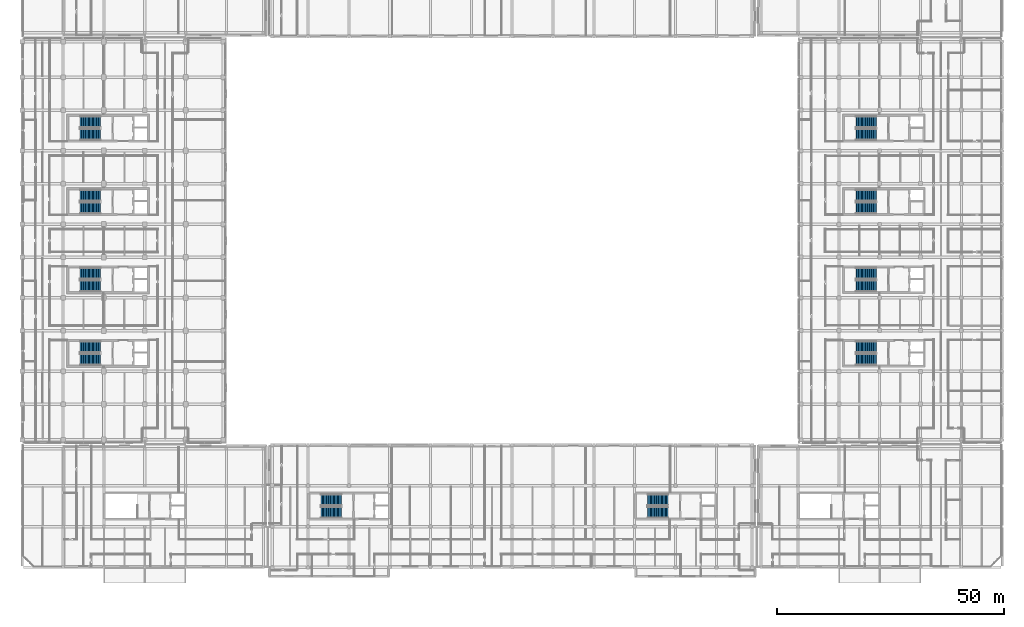
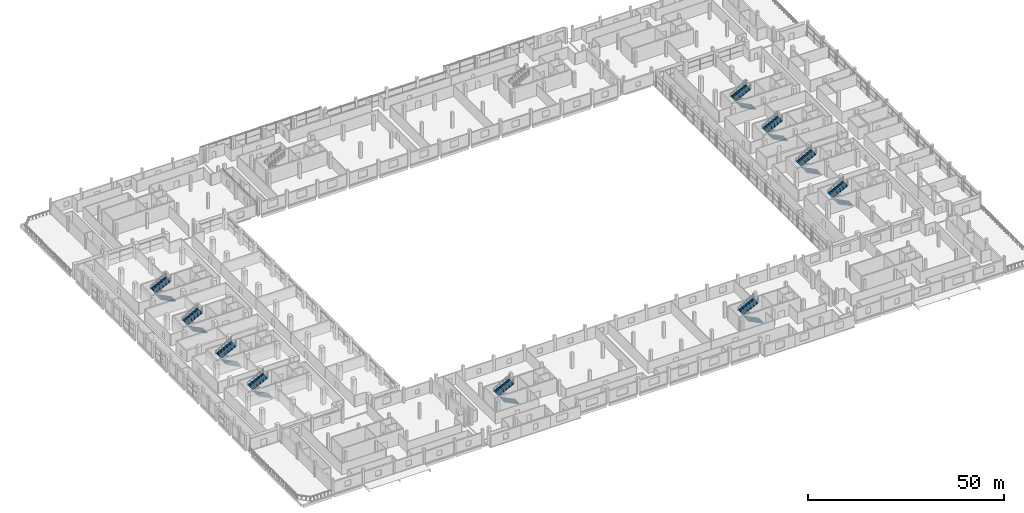
# One storey, part 87 of 111: 20 stair flights, 10 elements without a shape of their own.
"""IFC4 building model written with IfcOpenShell, lengths in metres."""

from ifc_helpers import new_model, si_unit, direction, frame, origin, place, context, subcontext, project, spatial, polyline, outline, extrude, material, type_object, element, aggregate, save


model = new_model("IFC4")

# Units and contexts
model_context = context("Model", 3, precision=1e-05, world=origin(), true_north=direction((0.0, 1.0)))
body_context = subcontext(model_context, "Body", "Model", "MODEL_VIEW")
ifc_project = project(units=[si_unit("LENGTHUNIT", "METRE"), si_unit("AREAUNIT", "SQUARE_METRE"), si_unit("VOLUMEUNIT", "CUBIC_METRE"), si_unit("PLANEANGLEUNIT", "RADIAN"), si_unit("MASSUNIT", "GRAM", prefix="KILO"), si_unit("THERMODYNAMICTEMPERATUREUNIT", "KELVIN"), si_unit("POWERUNIT", "WATT")], contexts=[model_context])

# Site, building, storey
site_placement = place(None, origin())
site = spatial("IfcSite", under=ifc_project, at=site_placement, CompositionType="ELEMENT")
building_placement = place(site_placement, origin())
building = spatial("IfcBuilding", under=site, at=building_placement, Name="Sindhuravela Promenade Stadium", CompositionType="ELEMENT")
storey_placement = place(building_placement, frame((0.0, 0.0, 9.60009765625)))
storey = spatial("IfcBuildingStorey", under=building, at=storey_placement, Name="L02", CompositionType="ELEMENT", Elevation=9.60009765625)

# Stair, stair flights
ifc_material = material(Name="Concrete M40", Category="concrete")
stair_type = type_object("IfcStairType", Name="ST-CORE-DOGLEG", PredefinedType="HALF_TURN_STAIR", material=ifc_material)
stair_1_placement = place(storey_placement, origin())
stair_1 = element("IfcStair", 1, at=stair_1_placement, inside=storey, type_object=stair_type, Name="Protected escape stair ST01 (L02)", PredefinedType="HALF_TURN_STAIR")
stair_flight_type = type_object("IfcStairFlightType", Name="SF-CORE-2400", PredefinedType="STRAIGHT", material=ifc_material)
stair_flight_1_placement = place(storey_placement, frame((17.25, 54.7900390625, 0.0), z_axis=(0.0, 0.0, 1.0), x_axis=(-1.0, 0.0, 0.0)))
stair_flight_1 = element("IfcStairFlight", 2, at=stair_flight_1_placement, type_object=stair_flight_type, Name="Stair ST01 lower flight (L02)", NumberOfRisers=16, NumberOfTreads=15, PredefinedType="STRAIGHT", RiserHeight=0.15, TreadLength=0.3, context=body_context, shape_type="SweptSolid", body=[
    extrude(outline(polyline([(0.0, 0.0), (0.0, 0.14990234375), (0.300048828125, 0.14990234375), (0.300048828125, 0.300048828125), (0.60009765625, 0.300048828125), (0.60009765625, 0.449951171875), (0.89990234375, 0.449951171875), (0.89990234375, 0.60009765625), (1.199951171875, 0.60009765625), (1.199951171875, 0.75), (1.5, 0.75), (1.5, 0.89990234375), (1.800048828125, 0.89990234375), (1.800048828125, 1.050048828125), (2.10009765625, 1.050048828125), (2.10009765625, 1.199951171875), (2.39990234375, 1.199951171875), (2.39990234375, 1.35009765625), (2.699951171875, 1.35009765625), (2.699951171875, 1.5), (3.0, 1.5), (3.0, 1.64990234375), (3.300048828125, 1.64990234375), (3.300048828125, 1.800048828125), (3.60009765625, 1.800048828125), (3.60009765625, 1.949951171875), (3.89990234375, 1.949951171875), (3.89990234375, 2.10009765625), (4.199951171875, 2.10009765625), (4.199951171875, 2.25), (4.5, 2.25), (4.5, 2.39990234375), (4.5, 2.0263671875), (0.447021484375, 0.0), (0.0, 0.0)])), frame((0.0, 1.25, 0.0), z_axis=(0.0, -1.0, 0.0), x_axis=(1.0, 0.0, 0.0)), (0.0, 0.0, 1.0), 2.5),
])
stair_flight_2_placement = place(storey_placement, frame((12.75, 57.610107421875, 2.39990234375), z_axis=(0.0, 0.0, 1.0), x_axis=(1.0, 0.0, 0.0)))
stair_flight_2 = element("IfcStairFlight", 3, at=stair_flight_2_placement, type_object=stair_flight_type, Name="Stair ST01 upper flight (L02)", NumberOfRisers=16, NumberOfTreads=15, PredefinedType="STRAIGHT", RiserHeight=0.15, TreadLength=0.3, context=body_context, shape_type="SweptSolid", body=[
    extrude(outline(polyline([(0.0, 0.0), (0.0, 0.14990234375), (0.300048828125, 0.14990234375), (0.300048828125, 0.300048828125), (0.60009765625, 0.300048828125), (0.60009765625, 0.449951171875), (0.89990234375, 0.449951171875), (0.89990234375, 0.60009765625), (1.199951171875, 0.60009765625), (1.199951171875, 0.75), (1.5, 0.75), (1.5, 0.89990234375), (1.800048828125, 0.89990234375), (1.800048828125, 1.050048828125), (2.10009765625, 1.050048828125), (2.10009765625, 1.199951171875), (2.39990234375, 1.199951171875), (2.39990234375, 1.35009765625), (2.699951171875, 1.35009765625), (2.699951171875, 1.5), (3.0, 1.5), (3.0, 1.64990234375), (3.300048828125, 1.64990234375), (3.300048828125, 1.800048828125), (3.60009765625, 1.800048828125), (3.60009765625, 1.949951171875), (3.89990234375, 1.949951171875), (3.89990234375, 2.10009765625), (4.199951171875, 2.10009765625), (4.199951171875, 2.25), (4.5, 2.25), (4.5, 2.39990234375), (4.5, 2.0263671875), (0.447021484375, 0.0), (0.0, 0.0)])), frame((0.0, 1.25, 0.0), z_axis=(0.0, -1.0, 0.0), x_axis=(1.0, 0.0, 0.0)), (0.0, 0.0, 1.0), 2.5),
])
aggregate(stair_1, [stair_flight_1, stair_flight_2])

stair_2_placement = place(storey_placement, origin())
stair_2 = element("IfcStair", 4, at=stair_2_placement, inside=storey, type_object=stair_type, Name="Protected escape stair ST02 (L02)", PredefinedType="HALF_TURN_STAIR")
stair_flight_3_placement = place(storey_placement, frame((17.25, 70.989990234375, 0.0), z_axis=(0.0, 0.0, 1.0), x_axis=(-1.0, 0.0, 0.0)))
stair_flight_3 = element("IfcStairFlight", 5, at=stair_flight_3_placement, type_object=stair_flight_type, Name="Stair ST02 lower flight (L02)", NumberOfRisers=16, NumberOfTreads=15, PredefinedType="STRAIGHT", RiserHeight=0.15, TreadLength=0.3, context=body_context, shape_type="SweptSolid", body=[
    extrude(outline(polyline([(0.0, 0.0), (0.0, 0.14990234375), (0.300048828125, 0.14990234375), (0.300048828125, 0.300048828125), (0.60009765625, 0.300048828125), (0.60009765625, 0.449951171875), (0.89990234375, 0.449951171875), (0.89990234375, 0.60009765625), (1.199951171875, 0.60009765625), (1.199951171875, 0.75), (1.5, 0.75), (1.5, 0.89990234375), (1.800048828125, 0.89990234375), (1.800048828125, 1.050048828125), (2.10009765625, 1.050048828125), (2.10009765625, 1.199951171875), (2.39990234375, 1.199951171875), (2.39990234375, 1.35009765625), (2.699951171875, 1.35009765625), (2.699951171875, 1.5), (3.0, 1.5), (3.0, 1.64990234375), (3.300048828125, 1.64990234375), (3.300048828125, 1.800048828125), (3.60009765625, 1.800048828125), (3.60009765625, 1.949951171875), (3.89990234375, 1.949951171875), (3.89990234375, 2.10009765625), (4.199951171875, 2.10009765625), (4.199951171875, 2.25), (4.5, 2.25), (4.5, 2.39990234375), (4.5, 2.0263671875), (0.447021484375, 0.0), (0.0, 0.0)])), frame((0.0, 1.25, 0.0), z_axis=(0.0, -1.0, 0.0), x_axis=(1.0, 0.0, 0.0)), (0.0, 0.0, 1.0), 2.5),
])
stair_flight_4_placement = place(storey_placement, frame((12.75, 73.81005859375, 2.39990234375), z_axis=(0.0, 0.0, 1.0), x_axis=(1.0, 0.0, 0.0)))
stair_flight_4 = element("IfcStairFlight", 6, at=stair_flight_4_placement, type_object=stair_flight_type, Name="Stair ST02 upper flight (L02)", NumberOfRisers=16, NumberOfTreads=15, PredefinedType="STRAIGHT", RiserHeight=0.15, TreadLength=0.3, context=body_context, shape_type="SweptSolid", body=[
    extrude(outline(polyline([(0.0, 0.0), (0.0, 0.14990234375), (0.300048828125, 0.14990234375), (0.300048828125, 0.300048828125), (0.60009765625, 0.300048828125), (0.60009765625, 0.449951171875), (0.89990234375, 0.449951171875), (0.89990234375, 0.60009765625), (1.199951171875, 0.60009765625), (1.199951171875, 0.75), (1.5, 0.75), (1.5, 0.89990234375), (1.800048828125, 0.89990234375), (1.800048828125, 1.050048828125), (2.10009765625, 1.050048828125), (2.10009765625, 1.199951171875), (2.39990234375, 1.199951171875), (2.39990234375, 1.35009765625), (2.699951171875, 1.35009765625), (2.699951171875, 1.5), (3.0, 1.5), (3.0, 1.64990234375), (3.300048828125, 1.64990234375), (3.300048828125, 1.800048828125), (3.60009765625, 1.800048828125), (3.60009765625, 1.949951171875), (3.89990234375, 1.949951171875), (3.89990234375, 2.10009765625), (4.199951171875, 2.10009765625), (4.199951171875, 2.25), (4.5, 2.25), (4.5, 2.39990234375), (4.5, 2.0263671875), (0.447021484375, 0.0), (0.0, 0.0)])), frame((0.0, 1.25, 0.0), z_axis=(0.0, -1.0, 0.0), x_axis=(1.0, 0.0, 0.0)), (0.0, 0.0, 1.0), 2.5),
])
aggregate(stair_2, [stair_flight_3, stair_flight_4])

stair_3_placement = place(storey_placement, origin())
stair_3 = element("IfcStair", 7, at=stair_3_placement, inside=storey, type_object=stair_type, Name="Protected escape stair ST03 (L02)", PredefinedType="HALF_TURN_STAIR")
stair_flight_5_placement = place(storey_placement, frame((17.25, 88.18994140625, 0.0), z_axis=(0.0, 0.0, 1.0), x_axis=(-1.0, 0.0, 0.0)))
stair_flight_5 = element("IfcStairFlight", 8, at=stair_flight_5_placement, type_object=stair_flight_type, Name="Stair ST03 lower flight (L02)", NumberOfRisers=16, NumberOfTreads=15, PredefinedType="STRAIGHT", RiserHeight=0.15, TreadLength=0.3, context=body_context, shape_type="SweptSolid", body=[
    extrude(outline(polyline([(0.0, 0.0), (0.0, 0.14990234375), (0.300048828125, 0.14990234375), (0.300048828125, 0.300048828125), (0.60009765625, 0.300048828125), (0.60009765625, 0.449951171875), (0.89990234375, 0.449951171875), (0.89990234375, 0.60009765625), (1.199951171875, 0.60009765625), (1.199951171875, 0.75), (1.5, 0.75), (1.5, 0.89990234375), (1.800048828125, 0.89990234375), (1.800048828125, 1.050048828125), (2.10009765625, 1.050048828125), (2.10009765625, 1.199951171875), (2.39990234375, 1.199951171875), (2.39990234375, 1.35009765625), (2.699951171875, 1.35009765625), (2.699951171875, 1.5), (3.0, 1.5), (3.0, 1.64990234375), (3.300048828125, 1.64990234375), (3.300048828125, 1.800048828125), (3.60009765625, 1.800048828125), (3.60009765625, 1.949951171875), (3.89990234375, 1.949951171875), (3.89990234375, 2.10009765625), (4.199951171875, 2.10009765625), (4.199951171875, 2.25), (4.5, 2.25), (4.5, 2.39990234375), (4.5, 2.0263671875), (0.447021484375, 0.0), (0.0, 0.0)])), frame((0.0, 1.25, 0.0), z_axis=(0.0, -1.0, 0.0), x_axis=(1.0, 0.0, 0.0)), (0.0, 0.0, 1.0), 2.5),
])
stair_flight_6_placement = place(storey_placement, frame((12.75, 91.010009765625, 2.39990234375), z_axis=(0.0, 0.0, 1.0), x_axis=(1.0, 0.0, 0.0)))
stair_flight_6 = element("IfcStairFlight", 9, at=stair_flight_6_placement, type_object=stair_flight_type, Name="Stair ST03 upper flight (L02)", NumberOfRisers=16, NumberOfTreads=15, PredefinedType="STRAIGHT", RiserHeight=0.15, TreadLength=0.3, context=body_context, shape_type="SweptSolid", body=[
    extrude(outline(polyline([(0.0, 0.0), (0.0, 0.14990234375), (0.300048828125, 0.14990234375), (0.300048828125, 0.300048828125), (0.60009765625, 0.300048828125), (0.60009765625, 0.449951171875), (0.89990234375, 0.449951171875), (0.89990234375, 0.60009765625), (1.199951171875, 0.60009765625), (1.199951171875, 0.75), (1.5, 0.75), (1.5, 0.89990234375), (1.800048828125, 0.89990234375), (1.800048828125, 1.050048828125), (2.10009765625, 1.050048828125), (2.10009765625, 1.199951171875), (2.39990234375, 1.199951171875), (2.39990234375, 1.35009765625), (2.699951171875, 1.35009765625), (2.699951171875, 1.5), (3.0, 1.5), (3.0, 1.64990234375), (3.300048828125, 1.64990234375), (3.300048828125, 1.800048828125), (3.60009765625, 1.800048828125), (3.60009765625, 1.949951171875), (3.89990234375, 1.949951171875), (3.89990234375, 2.10009765625), (4.199951171875, 2.10009765625), (4.199951171875, 2.25), (4.5, 2.25), (4.5, 2.39990234375), (4.5, 2.0263671875), (0.447021484375, 0.0), (0.0, 0.0)])), frame((0.0, 1.25, 0.0), z_axis=(0.0, -1.0, 0.0), x_axis=(1.0, 0.0, 0.0)), (0.0, 0.0, 1.0), 2.5),
])
aggregate(stair_3, [stair_flight_5, stair_flight_6])

stair_4_placement = place(storey_placement, origin())
stair_4 = element("IfcStair", 10, at=stair_4_placement, inside=storey, type_object=stair_type, Name="Protected escape stair ST04 (L02)", PredefinedType="HALF_TURN_STAIR")
stair_flight_7_placement = place(storey_placement, frame((17.25, 104.389892578125, 0.0), z_axis=(0.0, 0.0, 1.0), x_axis=(-1.0, 0.0, 0.0)))
stair_flight_7 = element("IfcStairFlight", 11, at=stair_flight_7_placement, type_object=stair_flight_type, Name="Stair ST04 lower flight (L02)", NumberOfRisers=16, NumberOfTreads=15, PredefinedType="STRAIGHT", RiserHeight=0.15, TreadLength=0.3, context=body_context, shape_type="SweptSolid", body=[
    extrude(outline(polyline([(0.0, 0.0), (0.0, 0.14990234375), (0.300048828125, 0.14990234375), (0.300048828125, 0.300048828125), (0.60009765625, 0.300048828125), (0.60009765625, 0.449951171875), (0.89990234375, 0.449951171875), (0.89990234375, 0.60009765625), (1.199951171875, 0.60009765625), (1.199951171875, 0.75), (1.5, 0.75), (1.5, 0.89990234375), (1.800048828125, 0.89990234375), (1.800048828125, 1.050048828125), (2.10009765625, 1.050048828125), (2.10009765625, 1.199951171875), (2.39990234375, 1.199951171875), (2.39990234375, 1.35009765625), (2.699951171875, 1.35009765625), (2.699951171875, 1.5), (3.0, 1.5), (3.0, 1.64990234375), (3.300048828125, 1.64990234375), (3.300048828125, 1.800048828125), (3.60009765625, 1.800048828125), (3.60009765625, 1.949951171875), (3.89990234375, 1.949951171875), (3.89990234375, 2.10009765625), (4.199951171875, 2.10009765625), (4.199951171875, 2.25), (4.5, 2.25), (4.5, 2.39990234375), (4.5, 2.0263671875), (0.447021484375, 0.0), (0.0, 0.0)])), frame((0.0, 1.25, 0.0), z_axis=(0.0, -1.0, 0.0), x_axis=(1.0, 0.0, 0.0)), (0.0, 0.0, 1.0), 2.5),
])
stair_flight_8_placement = place(storey_placement, frame((12.75, 107.2099609375, 2.39990234375), z_axis=(0.0, 0.0, 1.0), x_axis=(1.0, 0.0, 0.0)))
stair_flight_8 = element("IfcStairFlight", 12, at=stair_flight_8_placement, type_object=stair_flight_type, Name="Stair ST04 upper flight (L02)", NumberOfRisers=16, NumberOfTreads=15, PredefinedType="STRAIGHT", RiserHeight=0.15, TreadLength=0.3, context=body_context, shape_type="SweptSolid", body=[
    extrude(outline(polyline([(0.0, 0.0), (0.0, 0.14990234375), (0.300048828125, 0.14990234375), (0.300048828125, 0.300048828125), (0.60009765625, 0.300048828125), (0.60009765625, 0.449951171875), (0.89990234375, 0.449951171875), (0.89990234375, 0.60009765625), (1.199951171875, 0.60009765625), (1.199951171875, 0.75), (1.5, 0.75), (1.5, 0.89990234375), (1.800048828125, 0.89990234375), (1.800048828125, 1.050048828125), (2.10009765625, 1.050048828125), (2.10009765625, 1.199951171875), (2.39990234375, 1.199951171875), (2.39990234375, 1.35009765625), (2.699951171875, 1.35009765625), (2.699951171875, 1.5), (3.0, 1.5), (3.0, 1.64990234375), (3.300048828125, 1.64990234375), (3.300048828125, 1.800048828125), (3.60009765625, 1.800048828125), (3.60009765625, 1.949951171875), (3.89990234375, 1.949951171875), (3.89990234375, 2.10009765625), (4.199951171875, 2.10009765625), (4.199951171875, 2.25), (4.5, 2.25), (4.5, 2.39990234375), (4.5, 2.0263671875), (0.447021484375, 0.0), (0.0, 0.0)])), frame((0.0, 1.25, 0.0), z_axis=(0.0, -1.0, 0.0), x_axis=(1.0, 0.0, 0.0)), (0.0, 0.0, 1.0), 2.5),
])
aggregate(stair_4, [stair_flight_7, stair_flight_8])

stair_5_placement = place(storey_placement, origin())
stair_5 = element("IfcStair", 13, at=stair_5_placement, inside=storey, type_object=stair_type, Name="Protected escape stair ST05 (L02)", PredefinedType="HALF_TURN_STAIR")
stair_flight_9_placement = place(storey_placement, frame((188.25, 54.7900390625, 0.0), z_axis=(0.0, 0.0, 1.0), x_axis=(-1.0, 0.0, 0.0)))
stair_flight_9 = element("IfcStairFlight", 14, at=stair_flight_9_placement, type_object=stair_flight_type, Name="Stair ST05 lower flight (L02)", NumberOfRisers=16, NumberOfTreads=15, PredefinedType="STRAIGHT", RiserHeight=0.15, TreadLength=0.3, context=body_context, shape_type="SweptSolid", body=[
    extrude(outline(polyline([(0.0, 0.0), (0.0, 0.14990234375), (0.300048828125, 0.14990234375), (0.300048828125, 0.300048828125), (0.60009765625, 0.300048828125), (0.60009765625, 0.449951171875), (0.89990234375, 0.449951171875), (0.89990234375, 0.60009765625), (1.199951171875, 0.60009765625), (1.199951171875, 0.75), (1.5, 0.75), (1.5, 0.89990234375), (1.800048828125, 0.89990234375), (1.800048828125, 1.050048828125), (2.10009765625, 1.050048828125), (2.10009765625, 1.199951171875), (2.39990234375, 1.199951171875), (2.39990234375, 1.35009765625), (2.699951171875, 1.35009765625), (2.699951171875, 1.5), (3.0, 1.5), (3.0, 1.64990234375), (3.300048828125, 1.64990234375), (3.300048828125, 1.800048828125), (3.60009765625, 1.800048828125), (3.60009765625, 1.949951171875), (3.89990234375, 1.949951171875), (3.89990234375, 2.10009765625), (4.199951171875, 2.10009765625), (4.199951171875, 2.25), (4.5, 2.25), (4.5, 2.39990234375), (4.5, 2.0263671875), (0.447021484375, 0.0), (0.0, 0.0)])), frame((0.0, 1.25, 0.0), z_axis=(0.0, -1.0, 0.0), x_axis=(1.0, 0.0, 0.0)), (0.0, 0.0, 1.0), 2.5),
])
stair_flight_10_placement = place(storey_placement, frame((183.75, 57.610107421875, 2.39990234375), z_axis=(0.0, 0.0, 1.0), x_axis=(1.0, 0.0, 0.0)))
stair_flight_10 = element("IfcStairFlight", 15, at=stair_flight_10_placement, type_object=stair_flight_type, Name="Stair ST05 upper flight (L02)", NumberOfRisers=16, NumberOfTreads=15, PredefinedType="STRAIGHT", RiserHeight=0.15, TreadLength=0.3, context=body_context, shape_type="SweptSolid", body=[
    extrude(outline(polyline([(0.0, 0.0), (0.0, 0.14990234375), (0.300048828125, 0.14990234375), (0.300048828125, 0.300048828125), (0.60009765625, 0.300048828125), (0.60009765625, 0.449951171875), (0.89990234375, 0.449951171875), (0.89990234375, 0.60009765625), (1.199951171875, 0.60009765625), (1.199951171875, 0.75), (1.5, 0.75), (1.5, 0.89990234375), (1.800048828125, 0.89990234375), (1.800048828125, 1.050048828125), (2.10009765625, 1.050048828125), (2.10009765625, 1.199951171875), (2.39990234375, 1.199951171875), (2.39990234375, 1.35009765625), (2.699951171875, 1.35009765625), (2.699951171875, 1.5), (3.0, 1.5), (3.0, 1.64990234375), (3.300048828125, 1.64990234375), (3.300048828125, 1.800048828125), (3.60009765625, 1.800048828125), (3.60009765625, 1.949951171875), (3.89990234375, 1.949951171875), (3.89990234375, 2.10009765625), (4.199951171875, 2.10009765625), (4.199951171875, 2.25), (4.5, 2.25), (4.5, 2.39990234375), (4.5, 2.0263671875), (0.447021484375, 0.0), (0.0, 0.0)])), frame((0.0, 1.25, 0.0), z_axis=(0.0, -1.0, 0.0), x_axis=(1.0, 0.0, 0.0)), (0.0, 0.0, 1.0), 2.5),
])
aggregate(stair_5, [stair_flight_9, stair_flight_10])

stair_6_placement = place(storey_placement, origin())
stair_6 = element("IfcStair", 16, at=stair_6_placement, inside=storey, type_object=stair_type, Name="Protected escape stair ST06 (L02)", PredefinedType="HALF_TURN_STAIR")
stair_flight_11_placement = place(storey_placement, frame((188.25, 70.989990234375, 0.0), z_axis=(0.0, 0.0, 1.0), x_axis=(-1.0, 0.0, 0.0)))
stair_flight_11 = element("IfcStairFlight", 17, at=stair_flight_11_placement, type_object=stair_flight_type, Name="Stair ST06 lower flight (L02)", NumberOfRisers=16, NumberOfTreads=15, PredefinedType="STRAIGHT", RiserHeight=0.15, TreadLength=0.3, context=body_context, shape_type="SweptSolid", body=[
    extrude(outline(polyline([(0.0, 0.0), (0.0, 0.14990234375), (0.300048828125, 0.14990234375), (0.300048828125, 0.300048828125), (0.60009765625, 0.300048828125), (0.60009765625, 0.449951171875), (0.89990234375, 0.449951171875), (0.89990234375, 0.60009765625), (1.199951171875, 0.60009765625), (1.199951171875, 0.75), (1.5, 0.75), (1.5, 0.89990234375), (1.800048828125, 0.89990234375), (1.800048828125, 1.050048828125), (2.10009765625, 1.050048828125), (2.10009765625, 1.199951171875), (2.39990234375, 1.199951171875), (2.39990234375, 1.35009765625), (2.699951171875, 1.35009765625), (2.699951171875, 1.5), (3.0, 1.5), (3.0, 1.64990234375), (3.300048828125, 1.64990234375), (3.300048828125, 1.800048828125), (3.60009765625, 1.800048828125), (3.60009765625, 1.949951171875), (3.89990234375, 1.949951171875), (3.89990234375, 2.10009765625), (4.199951171875, 2.10009765625), (4.199951171875, 2.25), (4.5, 2.25), (4.5, 2.39990234375), (4.5, 2.0263671875), (0.447021484375, 0.0), (0.0, 0.0)])), frame((0.0, 1.25, 0.0), z_axis=(0.0, -1.0, 0.0), x_axis=(1.0, 0.0, 0.0)), (0.0, 0.0, 1.0), 2.5),
])
stair_flight_12_placement = place(storey_placement, frame((183.75, 73.81005859375, 2.39990234375), z_axis=(0.0, 0.0, 1.0), x_axis=(1.0, 0.0, 0.0)))
stair_flight_12 = element("IfcStairFlight", 18, at=stair_flight_12_placement, type_object=stair_flight_type, Name="Stair ST06 upper flight (L02)", NumberOfRisers=16, NumberOfTreads=15, PredefinedType="STRAIGHT", RiserHeight=0.15, TreadLength=0.3, context=body_context, shape_type="SweptSolid", body=[
    extrude(outline(polyline([(0.0, 0.0), (0.0, 0.14990234375), (0.300048828125, 0.14990234375), (0.300048828125, 0.300048828125), (0.60009765625, 0.300048828125), (0.60009765625, 0.449951171875), (0.89990234375, 0.449951171875), (0.89990234375, 0.60009765625), (1.199951171875, 0.60009765625), (1.199951171875, 0.75), (1.5, 0.75), (1.5, 0.89990234375), (1.800048828125, 0.89990234375), (1.800048828125, 1.050048828125), (2.10009765625, 1.050048828125), (2.10009765625, 1.199951171875), (2.39990234375, 1.199951171875), (2.39990234375, 1.35009765625), (2.699951171875, 1.35009765625), (2.699951171875, 1.5), (3.0, 1.5), (3.0, 1.64990234375), (3.300048828125, 1.64990234375), (3.300048828125, 1.800048828125), (3.60009765625, 1.800048828125), (3.60009765625, 1.949951171875), (3.89990234375, 1.949951171875), (3.89990234375, 2.10009765625), (4.199951171875, 2.10009765625), (4.199951171875, 2.25), (4.5, 2.25), (4.5, 2.39990234375), (4.5, 2.0263671875), (0.447021484375, 0.0), (0.0, 0.0)])), frame((0.0, 1.25, 0.0), z_axis=(0.0, -1.0, 0.0), x_axis=(1.0, 0.0, 0.0)), (0.0, 0.0, 1.0), 2.5),
])
aggregate(stair_6, [stair_flight_11, stair_flight_12])

stair_7_placement = place(storey_placement, origin())
stair_7 = element("IfcStair", 19, at=stair_7_placement, inside=storey, type_object=stair_type, Name="Protected escape stair ST07 (L02)", PredefinedType="HALF_TURN_STAIR")
stair_flight_13_placement = place(storey_placement, frame((188.25, 88.18994140625, 0.0), z_axis=(0.0, 0.0, 1.0), x_axis=(-1.0, 0.0, 0.0)))
stair_flight_13 = element("IfcStairFlight", 20, at=stair_flight_13_placement, type_object=stair_flight_type, Name="Stair ST07 lower flight (L02)", NumberOfRisers=16, NumberOfTreads=15, PredefinedType="STRAIGHT", RiserHeight=0.15, TreadLength=0.3, context=body_context, shape_type="SweptSolid", body=[
    extrude(outline(polyline([(0.0, 0.0), (0.0, 0.14990234375), (0.300048828125, 0.14990234375), (0.300048828125, 0.300048828125), (0.60009765625, 0.300048828125), (0.60009765625, 0.449951171875), (0.89990234375, 0.449951171875), (0.89990234375, 0.60009765625), (1.199951171875, 0.60009765625), (1.199951171875, 0.75), (1.5, 0.75), (1.5, 0.89990234375), (1.800048828125, 0.89990234375), (1.800048828125, 1.050048828125), (2.10009765625, 1.050048828125), (2.10009765625, 1.199951171875), (2.39990234375, 1.199951171875), (2.39990234375, 1.35009765625), (2.699951171875, 1.35009765625), (2.699951171875, 1.5), (3.0, 1.5), (3.0, 1.64990234375), (3.300048828125, 1.64990234375), (3.300048828125, 1.800048828125), (3.60009765625, 1.800048828125), (3.60009765625, 1.949951171875), (3.89990234375, 1.949951171875), (3.89990234375, 2.10009765625), (4.199951171875, 2.10009765625), (4.199951171875, 2.25), (4.5, 2.25), (4.5, 2.39990234375), (4.5, 2.0263671875), (0.447021484375, 0.0), (0.0, 0.0)])), frame((0.0, 1.25, 0.0), z_axis=(0.0, -1.0, 0.0), x_axis=(1.0, 0.0, 0.0)), (0.0, 0.0, 1.0), 2.5),
])
stair_flight_14_placement = place(storey_placement, frame((183.75, 91.010009765625, 2.39990234375), z_axis=(0.0, 0.0, 1.0), x_axis=(1.0, 0.0, 0.0)))
stair_flight_14 = element("IfcStairFlight", 21, at=stair_flight_14_placement, type_object=stair_flight_type, Name="Stair ST07 upper flight (L02)", NumberOfRisers=16, NumberOfTreads=15, PredefinedType="STRAIGHT", RiserHeight=0.15, TreadLength=0.3, context=body_context, shape_type="SweptSolid", body=[
    extrude(outline(polyline([(0.0, 0.0), (0.0, 0.14990234375), (0.300048828125, 0.14990234375), (0.300048828125, 0.300048828125), (0.60009765625, 0.300048828125), (0.60009765625, 0.449951171875), (0.89990234375, 0.449951171875), (0.89990234375, 0.60009765625), (1.199951171875, 0.60009765625), (1.199951171875, 0.75), (1.5, 0.75), (1.5, 0.89990234375), (1.800048828125, 0.89990234375), (1.800048828125, 1.050048828125), (2.10009765625, 1.050048828125), (2.10009765625, 1.199951171875), (2.39990234375, 1.199951171875), (2.39990234375, 1.35009765625), (2.699951171875, 1.35009765625), (2.699951171875, 1.5), (3.0, 1.5), (3.0, 1.64990234375), (3.300048828125, 1.64990234375), (3.300048828125, 1.800048828125), (3.60009765625, 1.800048828125), (3.60009765625, 1.949951171875), (3.89990234375, 1.949951171875), (3.89990234375, 2.10009765625), (4.199951171875, 2.10009765625), (4.199951171875, 2.25), (4.5, 2.25), (4.5, 2.39990234375), (4.5, 2.0263671875), (0.447021484375, 0.0), (0.0, 0.0)])), frame((0.0, 1.25, 0.0), z_axis=(0.0, -1.0, 0.0), x_axis=(1.0, 0.0, 0.0)), (0.0, 0.0, 1.0), 2.5),
])
aggregate(stair_7, [stair_flight_13, stair_flight_14])

stair_8_placement = place(storey_placement, origin())
stair_8 = element("IfcStair", 22, at=stair_8_placement, inside=storey, type_object=stair_type, Name="Protected escape stair ST08 (L02)", PredefinedType="HALF_TURN_STAIR")
stair_flight_15_placement = place(storey_placement, frame((188.25, 104.389892578125, 0.0), z_axis=(0.0, 0.0, 1.0), x_axis=(-1.0, 0.0, 0.0)))
stair_flight_15 = element("IfcStairFlight", 23, at=stair_flight_15_placement, type_object=stair_flight_type, Name="Stair ST08 lower flight (L02)", NumberOfRisers=16, NumberOfTreads=15, PredefinedType="STRAIGHT", RiserHeight=0.15, TreadLength=0.3, context=body_context, shape_type="SweptSolid", body=[
    extrude(outline(polyline([(0.0, 0.0), (0.0, 0.14990234375), (0.300048828125, 0.14990234375), (0.300048828125, 0.300048828125), (0.60009765625, 0.300048828125), (0.60009765625, 0.449951171875), (0.89990234375, 0.449951171875), (0.89990234375, 0.60009765625), (1.199951171875, 0.60009765625), (1.199951171875, 0.75), (1.5, 0.75), (1.5, 0.89990234375), (1.800048828125, 0.89990234375), (1.800048828125, 1.050048828125), (2.10009765625, 1.050048828125), (2.10009765625, 1.199951171875), (2.39990234375, 1.199951171875), (2.39990234375, 1.35009765625), (2.699951171875, 1.35009765625), (2.699951171875, 1.5), (3.0, 1.5), (3.0, 1.64990234375), (3.300048828125, 1.64990234375), (3.300048828125, 1.800048828125), (3.60009765625, 1.800048828125), (3.60009765625, 1.949951171875), (3.89990234375, 1.949951171875), (3.89990234375, 2.10009765625), (4.199951171875, 2.10009765625), (4.199951171875, 2.25), (4.5, 2.25), (4.5, 2.39990234375), (4.5, 2.0263671875), (0.447021484375, 0.0), (0.0, 0.0)])), frame((0.0, 1.25, 0.0), z_axis=(0.0, -1.0, 0.0), x_axis=(1.0, 0.0, 0.0)), (0.0, 0.0, 1.0), 2.5),
])
stair_flight_16_placement = place(storey_placement, frame((183.75, 107.2099609375, 2.39990234375), z_axis=(0.0, 0.0, 1.0), x_axis=(1.0, 0.0, 0.0)))
stair_flight_16 = element("IfcStairFlight", 24, at=stair_flight_16_placement, type_object=stair_flight_type, Name="Stair ST08 upper flight (L02)", NumberOfRisers=16, NumberOfTreads=15, PredefinedType="STRAIGHT", RiserHeight=0.15, TreadLength=0.3, context=body_context, shape_type="SweptSolid", body=[
    extrude(outline(polyline([(0.0, 0.0), (0.0, 0.14990234375), (0.300048828125, 0.14990234375), (0.300048828125, 0.300048828125), (0.60009765625, 0.300048828125), (0.60009765625, 0.449951171875), (0.89990234375, 0.449951171875), (0.89990234375, 0.60009765625), (1.199951171875, 0.60009765625), (1.199951171875, 0.75), (1.5, 0.75), (1.5, 0.89990234375), (1.800048828125, 0.89990234375), (1.800048828125, 1.050048828125), (2.10009765625, 1.050048828125), (2.10009765625, 1.199951171875), (2.39990234375, 1.199951171875), (2.39990234375, 1.35009765625), (2.699951171875, 1.35009765625), (2.699951171875, 1.5), (3.0, 1.5), (3.0, 1.64990234375), (3.300048828125, 1.64990234375), (3.300048828125, 1.800048828125), (3.60009765625, 1.800048828125), (3.60009765625, 1.949951171875), (3.89990234375, 1.949951171875), (3.89990234375, 2.10009765625), (4.199951171875, 2.10009765625), (4.199951171875, 2.25), (4.5, 2.25), (4.5, 2.39990234375), (4.5, 2.0263671875), (0.447021484375, 0.0), (0.0, 0.0)])), frame((0.0, 1.25, 0.0), z_axis=(0.0, -1.0, 0.0), x_axis=(1.0, 0.0, 0.0)), (0.0, 0.0, 1.0), 2.5),
])
aggregate(stair_8, [stair_flight_15, stair_flight_16])

stair_9_placement = place(storey_placement, origin())
stair_9 = element("IfcStair", 25, at=stair_9_placement, inside=storey, type_object=stair_type, Name="Protected escape stair ST11 (L02)", PredefinedType="HALF_TURN_STAIR")
stair_flight_17_placement = place(storey_placement, frame((70.35009765625, 21.090087890625, 0.0), z_axis=(0.0, 0.0, 1.0), x_axis=(-1.0, 0.0, 0.0)))
stair_flight_17 = element("IfcStairFlight", 26, at=stair_flight_17_placement, type_object=stair_flight_type, Name="Stair ST11 lower flight (L02)", NumberOfRisers=16, NumberOfTreads=15, PredefinedType="STRAIGHT", RiserHeight=0.15, TreadLength=0.3, context=body_context, shape_type="SweptSolid", body=[
    extrude(outline(polyline([(0.0, 0.0), (0.0, 0.14990234375), (0.300048828125, 0.14990234375), (0.300048828125, 0.300048828125), (0.60009765625, 0.300048828125), (0.60009765625, 0.449951171875), (0.89990234375, 0.449951171875), (0.89990234375, 0.60009765625), (1.199951171875, 0.60009765625), (1.199951171875, 0.75), (1.5, 0.75), (1.5, 0.89990234375), (1.800048828125, 0.89990234375), (1.800048828125, 1.050048828125), (2.10009765625, 1.050048828125), (2.10009765625, 1.199951171875), (2.39990234375, 1.199951171875), (2.39990234375, 1.35009765625), (2.699951171875, 1.35009765625), (2.699951171875, 1.5), (3.0, 1.5), (3.0, 1.64990234375), (3.300048828125, 1.64990234375), (3.300048828125, 1.800048828125), (3.60009765625, 1.800048828125), (3.60009765625, 1.949951171875), (3.89990234375, 1.949951171875), (3.89990234375, 2.10009765625), (4.199951171875, 2.10009765625), (4.199951171875, 2.25), (4.5, 2.25), (4.5, 2.39990234375), (4.5, 2.0263671875), (0.447021484375, 0.0), (0.0, 0.0)])), frame((0.0, 1.25, 0.0), z_axis=(0.0, -1.0, 0.0), x_axis=(1.0, 0.0, 0.0)), (0.0, 0.0, 1.0), 2.5),
])
stair_flight_18_placement = place(storey_placement, frame((65.85009765625, 23.909912109375, 2.39990234375), z_axis=(0.0, 0.0, 1.0), x_axis=(1.0, 0.0, 0.0)))
stair_flight_18 = element("IfcStairFlight", 27, at=stair_flight_18_placement, type_object=stair_flight_type, Name="Stair ST11 upper flight (L02)", NumberOfRisers=16, NumberOfTreads=15, PredefinedType="STRAIGHT", RiserHeight=0.15, TreadLength=0.3, context=body_context, shape_type="SweptSolid", body=[
    extrude(outline(polyline([(0.0, 0.0), (0.0, 0.14990234375), (0.300048828125, 0.14990234375), (0.300048828125, 0.300048828125), (0.60009765625, 0.300048828125), (0.60009765625, 0.449951171875), (0.89990234375, 0.449951171875), (0.89990234375, 0.60009765625), (1.199951171875, 0.60009765625), (1.199951171875, 0.75), (1.5, 0.75), (1.5, 0.89990234375), (1.800048828125, 0.89990234375), (1.800048828125, 1.050048828125), (2.10009765625, 1.050048828125), (2.10009765625, 1.199951171875), (2.39990234375, 1.199951171875), (2.39990234375, 1.35009765625), (2.699951171875, 1.35009765625), (2.699951171875, 1.5), (3.0, 1.5), (3.0, 1.64990234375), (3.300048828125, 1.64990234375), (3.300048828125, 1.800048828125), (3.60009765625, 1.800048828125), (3.60009765625, 1.949951171875), (3.89990234375, 1.949951171875), (3.89990234375, 2.10009765625), (4.199951171875, 2.10009765625), (4.199951171875, 2.25), (4.5, 2.25), (4.5, 2.39990234375), (4.5, 2.0263671875), (0.447021484375, 0.0), (0.0, 0.0)])), frame((0.0, 1.25, 0.0), z_axis=(0.0, -1.0, 0.0), x_axis=(1.0, 0.0, 0.0)), (0.0, 0.0, 1.0), 2.5),
])
aggregate(stair_9, [stair_flight_17, stair_flight_18])

stair_10_placement = place(storey_placement, origin())
stair_10 = element("IfcStair", 28, at=stair_10_placement, inside=storey, type_object=stair_type, Name="Protected escape stair ST12 (L02)", PredefinedType="HALF_TURN_STAIR")
stair_flight_19_placement = place(storey_placement, frame((142.35009765625, 21.090087890625, 0.0), z_axis=(0.0, 0.0, 1.0), x_axis=(-1.0, 0.0, 0.0)))
stair_flight_19 = element("IfcStairFlight", 29, at=stair_flight_19_placement, type_object=stair_flight_type, Name="Stair ST12 lower flight (L02)", NumberOfRisers=16, NumberOfTreads=15, PredefinedType="STRAIGHT", RiserHeight=0.15, TreadLength=0.3, context=body_context, shape_type="SweptSolid", body=[
    extrude(outline(polyline([(0.0, 0.0), (0.0, 0.14990234375), (0.300048828125, 0.14990234375), (0.300048828125, 0.300048828125), (0.60009765625, 0.300048828125), (0.60009765625, 0.449951171875), (0.89990234375, 0.449951171875), (0.89990234375, 0.60009765625), (1.199951171875, 0.60009765625), (1.199951171875, 0.75), (1.5, 0.75), (1.5, 0.89990234375), (1.800048828125, 0.89990234375), (1.800048828125, 1.050048828125), (2.10009765625, 1.050048828125), (2.10009765625, 1.199951171875), (2.39990234375, 1.199951171875), (2.39990234375, 1.35009765625), (2.699951171875, 1.35009765625), (2.699951171875, 1.5), (3.0, 1.5), (3.0, 1.64990234375), (3.300048828125, 1.64990234375), (3.300048828125, 1.800048828125), (3.60009765625, 1.800048828125), (3.60009765625, 1.949951171875), (3.89990234375, 1.949951171875), (3.89990234375, 2.10009765625), (4.199951171875, 2.10009765625), (4.199951171875, 2.25), (4.5, 2.25), (4.5, 2.39990234375), (4.5, 2.0263671875), (0.447021484375, 0.0), (0.0, 0.0)])), frame((0.0, 1.25, 0.0), z_axis=(0.0, -1.0, 0.0), x_axis=(1.0, 0.0, 0.0)), (0.0, 0.0, 1.0), 2.5),
])
stair_flight_20_placement = place(storey_placement, frame((137.85009765625, 23.909912109375, 2.39990234375), z_axis=(0.0, 0.0, 1.0), x_axis=(1.0, 0.0, 0.0)))
stair_flight_20 = element("IfcStairFlight", 30, at=stair_flight_20_placement, type_object=stair_flight_type, Name="Stair ST12 upper flight (L02)", NumberOfRisers=16, NumberOfTreads=15, PredefinedType="STRAIGHT", RiserHeight=0.15, TreadLength=0.3, context=body_context, shape_type="SweptSolid", body=[
    extrude(outline(polyline([(0.0, 0.0), (0.0, 0.14990234375), (0.300048828125, 0.14990234375), (0.300048828125, 0.300048828125), (0.60009765625, 0.300048828125), (0.60009765625, 0.449951171875), (0.89990234375, 0.449951171875), (0.89990234375, 0.60009765625), (1.199951171875, 0.60009765625), (1.199951171875, 0.75), (1.5, 0.75), (1.5, 0.89990234375), (1.800048828125, 0.89990234375), (1.800048828125, 1.050048828125), (2.10009765625, 1.050048828125), (2.10009765625, 1.199951171875), (2.39990234375, 1.199951171875), (2.39990234375, 1.35009765625), (2.699951171875, 1.35009765625), (2.699951171875, 1.5), (3.0, 1.5), (3.0, 1.64990234375), (3.300048828125, 1.64990234375), (3.300048828125, 1.800048828125), (3.60009765625, 1.800048828125), (3.60009765625, 1.949951171875), (3.89990234375, 1.949951171875), (3.89990234375, 2.10009765625), (4.199951171875, 2.10009765625), (4.199951171875, 2.25), (4.5, 2.25), (4.5, 2.39990234375), (4.5, 2.0263671875), (0.447021484375, 0.0), (0.0, 0.0)])), frame((0.0, 1.25, 0.0), z_axis=(0.0, -1.0, 0.0), x_axis=(1.0, 0.0, 0.0)), (0.0, 0.0, 1.0), 2.5),
])
aggregate(stair_10, [stair_flight_19, stair_flight_20])

save(model, "model.ifc")
